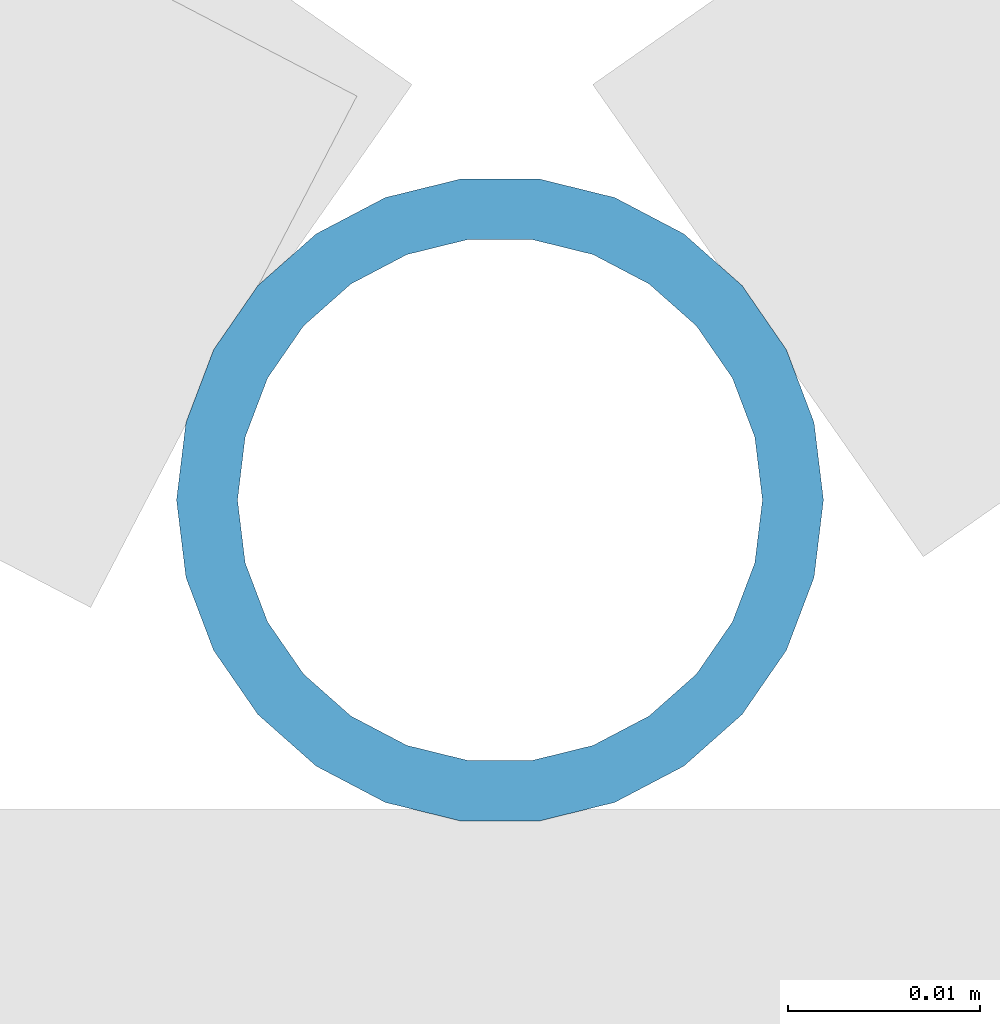
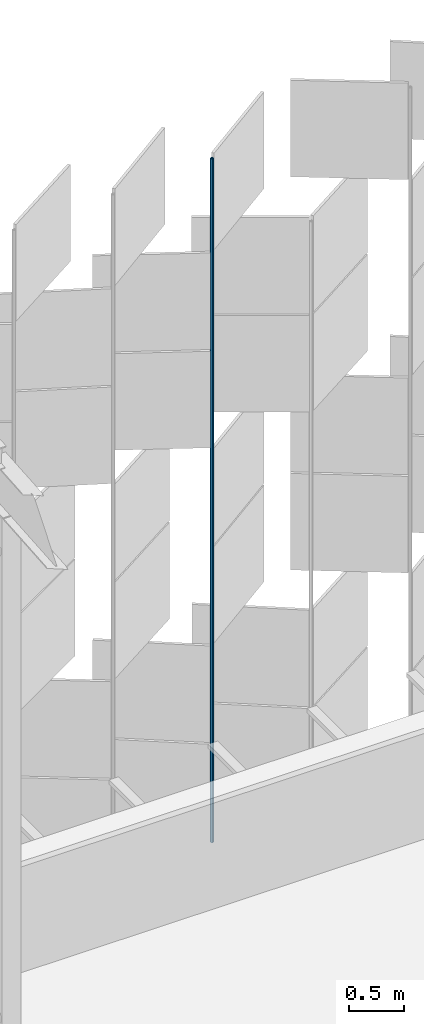
# One storey, part 383 of 483: 1 discrete accessory.
"""IFC4 building model written with IfcOpenShell, lengths in metres."""

from ifc_helpers import new_model, si_unit, direction, frame, origin, origin_2d, place, context, subcontext, project, spatial, hollow_circle, extrude, material, material_profile, profile_set, type_object, element, save


model = new_model("IFC4")

# Units and contexts
model_context = context("Model", 3, precision=1e-05, world=origin(), true_north=direction((0.0, 1.0)))
body_context = subcontext(model_context, "Body", "Model", "MODEL_VIEW")
ifc_project = project(units=[si_unit("LENGTHUNIT", "METRE"), si_unit("AREAUNIT", "SQUARE_METRE"), si_unit("VOLUMEUNIT", "CUBIC_METRE"), si_unit("PLANEANGLEUNIT", "RADIAN"), si_unit("MASSUNIT", "GRAM", prefix="KILO")], contexts=[model_context])

# Site, building, storey
site_placement = place(None, origin())
site = spatial("IfcSite", under=ifc_project, at=site_placement, CompositionType="ELEMENT")
building_placement = place(site_placement, origin())
building = spatial("IfcBuilding", under=site, at=building_placement, Name="Parallax Yard Mobility Hub", CompositionType="ELEMENT")
storey_placement = place(building_placement, frame((0.0, 0.0, 13.199951171875)))
storey = spatial("IfcBuildingStorey", under=building, at=storey_placement, Name="L04", CompositionType="ELEMENT", Elevation=13.199951171875)

# Discrete accessory
ifc_material = material(Name="Steel ASTM A500 Gr C, hot-dip galvanised", Category="steel")
ifc_material_profile = material_profile(ifc_material, hollow_circle(Radius=0.016845703125, WallThickness=0.003173828125, at=origin_2d()), Name="CHS 33.7x3.2")
ifc_profile_set = profile_set([ifc_material_profile], Name="Steel ASTM A500 Gr C, hot-dip galvanised")
discrete_accessory_type = type_object("IfcDiscreteAccessoryType", Name="Hinge post CHS 33.7x3.2", PredefinedType="BRACKET", material=ifc_profile_set)
discrete_accessory_placement = place(storey_placement, frame((168.215576171875, 143.19140625, 0.0), z_axis=(0.0, 0.0, 1.0), x_axis=(1.0, 0.0, 0.0)))
element("IfcDiscreteAccessory", 1, at=discrete_accessory_placement, inside=storey, type_object=discrete_accessory_type, Name="Hinge post bay 51.5 level L04", PredefinedType="BRACKET", context=body_context, shape_type="SweptSolid", body=[
    extrude(hollow_circle(Radius=0.016845703125, WallThickness=0.003173828125, at=origin_2d()), origin(), (0.0, 0.0, 1.0), 7.650146484375),
])

save(model, "model.ifc")
